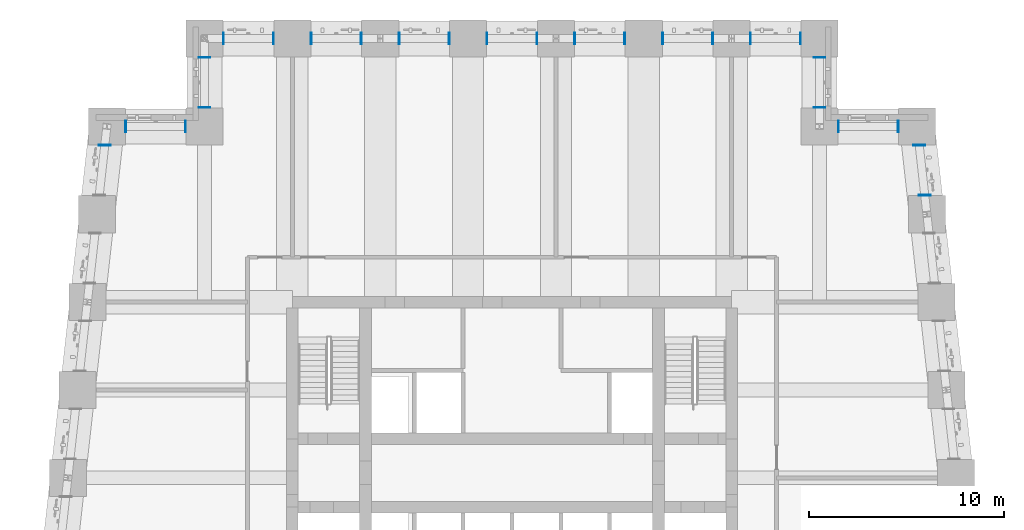
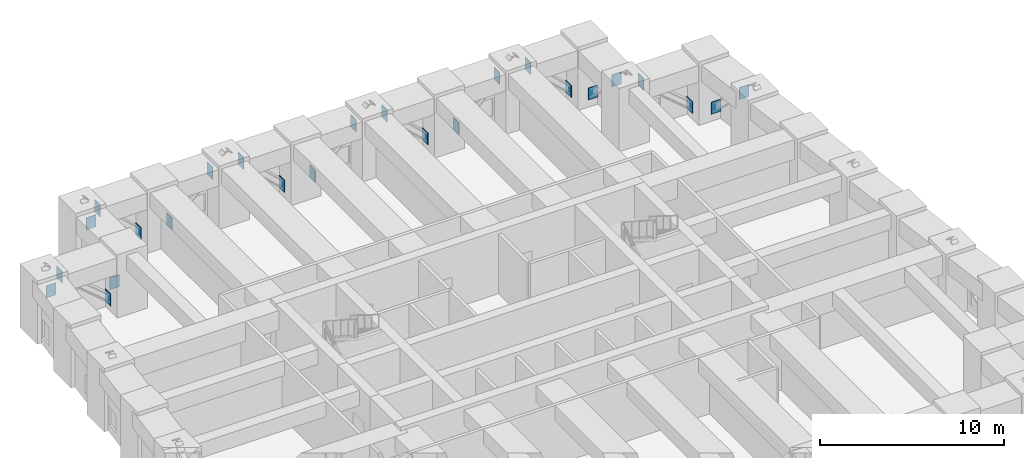
# One storey, part 8 of 16: 25 discrete accessories.
"""IFC4 building model written with IfcOpenShell, lengths in metres."""

from ifc_helpers import new_model, si_unit, direction, frame, origin, place, context, subcontext, project, spatial, polyline, outline, extrude, source, transform, mapped, material, layer, layer_set, type_object, element, save


model = new_model("IFC4")

# Units and contexts
model_context = context("Model", 3, precision=1e-05, world=origin(), true_north=direction((0.0, 1.0)))
body_context = subcontext(model_context, "Body", "Model", "MODEL_VIEW")
ifc_project = project(units=[si_unit("LENGTHUNIT", "METRE"), si_unit("AREAUNIT", "SQUARE_METRE"), si_unit("VOLUMEUNIT", "CUBIC_METRE"), si_unit("PLANEANGLEUNIT", "RADIAN"), si_unit("MASSUNIT", "GRAM", prefix="KILO")], contexts=[model_context])

# Site, building, storey
site_placement = place(None, origin())
site = spatial("IfcSite", under=ifc_project, at=site_placement, CompositionType="ELEMENT")
building_placement = place(site_placement, origin())
building = spatial("IfcBuilding", under=site, at=building_placement, Name="Kilele Tower Hotel", CompositionType="ELEMENT")
storey_placement = place(building_placement, frame((0.0, 0.0, 85.699951171875)))
storey = spatial("IfcBuildingStorey", under=building, at=storey_placement, Name="L21", CompositionType="ELEMENT", Elevation=85.699951171875)

# Discrete accessories
ifc_material = material(Name="Steel S355", Category="steel")
ifc_layer = layer(ifc_material, 0.0400390625)
ifc_layer_set = layer_set([ifc_layer], Name="Steel S355")
discrete_accessory_type = type_object("IfcDiscreteAccessoryType", Name="Cast-in anchor plate 800x600x40", PredefinedType="ANCHORPLATE", material=ifc_layer_set)
shared_shape = source(origin(), body_context, "Body", "SweptSolid", [
    extrude(outline(polyline([(0.0, 0.0), (0.0400390625, 0.0), (0.0400390625, 0.800048828125), (0.0, 0.800048828125), (0.0, 0.0)])), origin(), (0.0, 0.0, 1.0), 0.60009765625),
])
for number, where, z_axis, x_axis, name in (
    (1, (45.594482421875, 32.449951171875, 2.913330078125), (1.0, 0.0, 0.0), (0.0, 1.0, 0.0), "Cast-in anchor plate L21"),
    (2, (45.905517578125, 35.050048828125, 0.48681640625), (-1.0, 0.0, 0.0), (0.0, -1.0, 0.0), "Cast-in anchor plate L21"),
    (3, (44.550048828125, 35.699951171875, 0.39794921875), (0.0, 1.0, 0.0), (-1.0, 0.0, 0.0), "Cast-in anchor plate L21"),
    (4, (41.449951171875, 36.300048828125, 3.001953125), (0.0, -1.0, 0.0), (1.0, 0.0, 0.0), "Cast-in anchor plate L21"),
    (5, (40.199951171875, 36.949951171875, 2.913330078125), (1.0, 0.0, 0.0), (0.0, 1.0, 0.0), "Cast-in anchor plate L21"),
    (6, (40.800048828125, 39.550048828125, 0.48681640625), (-1.0, 0.0, 0.0), (0.0, -1.0, 0.0), "Cast-in anchor plate L21"),
    (7, (39.550048828125, 40.199951171875, 0.48681640625), (0.0, 1.0, 0.0), (-1.0, 0.0, 0.0), "Cast-in anchor plate L21"),
    (8, (36.949951171875, 40.800048828125, 2.913330078125), (0.0, -1.0, 0.0), (1.0, 0.0, 0.0), "Cast-in anchor plate L21"),
    (9, (35.050048828125, 40.199951171875, 2.913330078125), (0.0, 1.0, 0.0), (-1.0, 0.0, 0.0), "Cast-in anchor plate L21"),
    (10, (32.449951171875, 40.800048828125, 0.48681640625), (0.0, -1.0, 0.0), (1.0, 0.0, 0.0), "Cast-in anchor plate L21"),
    (11, (30.550048828125, 40.199951171875, 0.48681640625), (0.0, 1.0, 0.0), (-1.0, 0.0, 0.0), "Cast-in anchor plate L21"),
    (12, (27.949951171875, 40.800048828125, 2.913330078125), (0.0, -1.0, 0.0), (1.0, 0.0, 0.0), "Cast-in anchor plate L21"),
    (13, (26.050048828125, 40.199951171875, 2.913330078125), (0.0, 1.0, 0.0), (-1.0, 0.0, 0.0), "Cast-in anchor plate L21"),
    (14, (23.449951171875, 40.800048828125, 0.48681640625), (0.0, -1.0, 0.0), (1.0, 0.0, 0.0), "Cast-in anchor plate L21"),
    (15, (21.550048828125, 40.199951171875, 0.48681640625), (0.0, 1.0, 0.0), (-1.0, 0.0, 0.0), "Cast-in anchor plate L21"),
    (16, (18.949951171875, 40.800048828125, 2.913330078125), (0.0, -1.0, 0.0), (1.0, 0.0, 0.0), "Cast-in anchor plate L21"),
    (17, (17.050048828125, 40.199951171875, 2.913330078125), (0.0, 1.0, 0.0), (-1.0, 0.0, 0.0), "Cast-in anchor plate L21"),
    (18, (14.449951171875, 40.800048828125, 0.48681640625), (0.0, -1.0, 0.0), (1.0, 0.0, 0.0), "Cast-in anchor plate L21"),
    (19, (12.550048828125, 40.199951171875, 0.48681640625), (0.0, 1.0, 0.0), (-1.0, 0.0, 0.0), "Cast-in anchor plate L21"),
    (20, (9.949951171875, 40.800048828125, 2.913330078125), (0.0, -1.0, 0.0), (1.0, 0.0, 0.0), "Cast-in anchor plate L21"),
    (21, (9.300048828125, 39.550048828125, 2.913330078125), (-1.0, 0.0, 0.0), (0.0, -1.0, 0.0), "Cast-in anchor plate L21"),
    (22, (8.699951171875, 36.949951171875, 0.48681640625), (1.0, 0.0, 0.0), (0.0, 1.0, 0.0), "Cast-in anchor plate L21"),
    (23, (8.050048828125, 35.699951171875, 0.39794921875), (0.0, 1.0, 0.0), (-1.0, 0.0, 0.0), "Cast-in anchor plate L21"),
    (24, (4.949951171875, 36.300048828125, 3.001953125), (0.0, -1.0, 0.0), (1.0, 0.0, 0.0), "Cast-in anchor plate L21"),
    (25, (4.1943359375, 35.050048828125, 2.913330078125), (-1.0, 0.0, 0.0), (0.0, -1.0, 0.0), "Cast-in anchor plate L21"),
):
    element("IfcDiscreteAccessory", number, at=place(storey_placement, frame(where, z_axis=z_axis, x_axis=x_axis)), inside=storey, type_object=discrete_accessory_type, Name=name, PredefinedType="ANCHORPLATE", context=body_context, shape_type="MappedRepresentation", body=[
        mapped(shared_shape, transform((0.0, 0.0, 0.0))),
    ])

save(model, "model.ifc")
